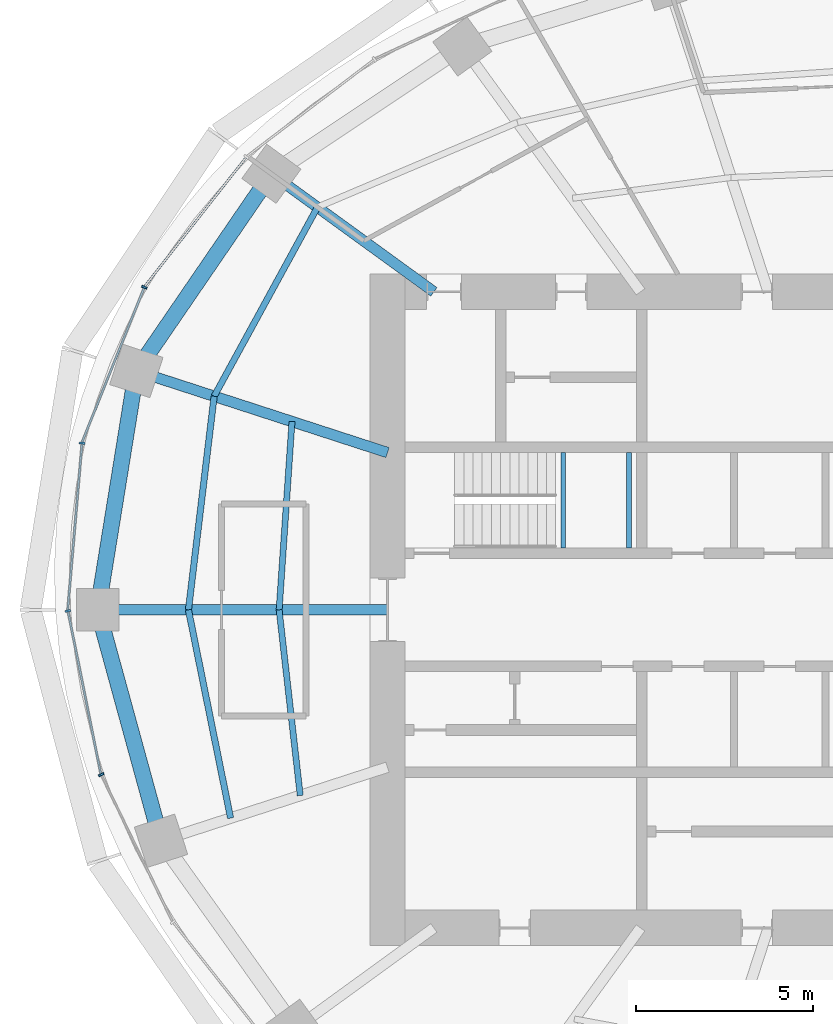
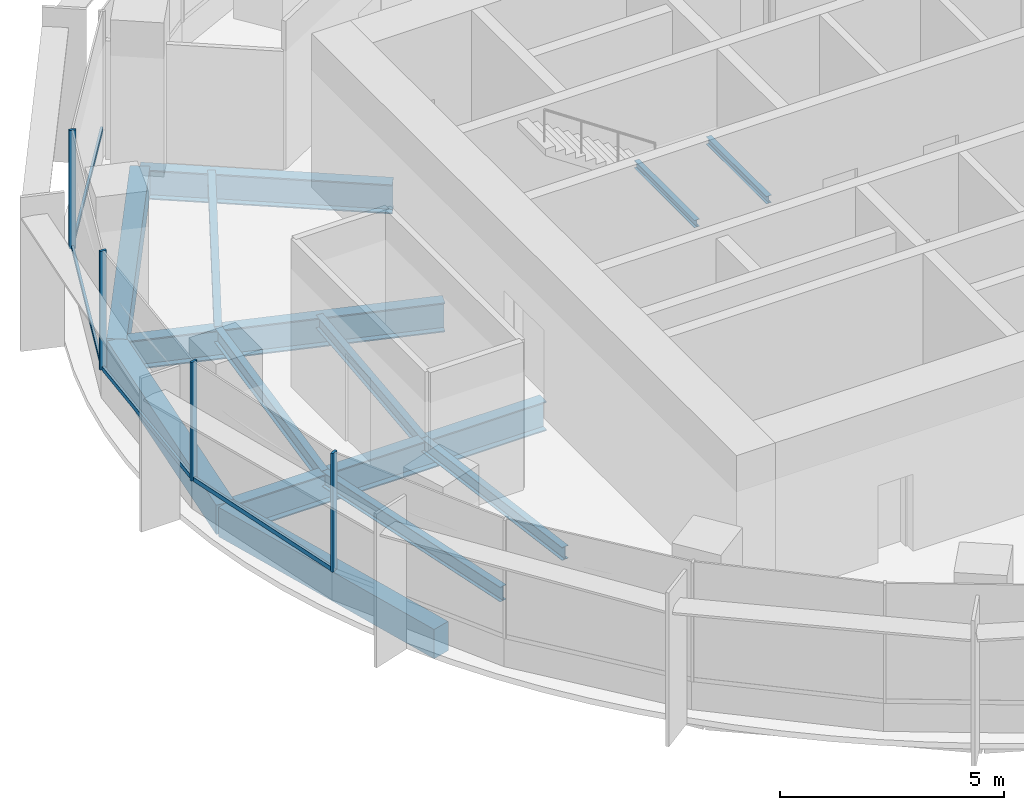
# One storey, part 4 of 13: 13 beams, 8 members, 2 elements without a shape of their own.
"""IFC4 building model written with IfcOpenShell, lengths in metres."""

from ifc_helpers import new_model, si_unit, direction, frame, origin, origin_2d, place, context, subcontext, project, spatial, rectangle, i_section, extrude, material, material_profile, profile_set, type_object, element, aggregate, save


model = new_model("IFC4")

# Units and contexts
model_context = context("Model", 3, precision=1e-05, world=origin(), true_north=direction((0.0, 1.0)))
body_context = subcontext(model_context, "Body", "Model", "MODEL_VIEW")
ifc_project = project(units=[si_unit("LENGTHUNIT", "METRE"), si_unit("AREAUNIT", "SQUARE_METRE"), si_unit("VOLUMEUNIT", "CUBIC_METRE"), si_unit("PLANEANGLEUNIT", "RADIAN"), si_unit("MASSUNIT", "GRAM", prefix="KILO")], contexts=[model_context])

# Site, building, storey
site_placement = place(None, origin())
site = spatial("IfcSite", under=ifc_project, at=site_placement, CompositionType="ELEMENT")
building_placement = place(site_placement, origin())
building = spatial("IfcBuilding", under=site, at=building_placement, Name="Marramba Exchange Tower", CompositionType="ELEMENT")
storey_placement = place(building_placement, frame((0.0, 0.0, 260.199951171875)))
storey = spatial("IfcBuildingStorey", under=building, at=storey_placement, Name="L63", CompositionType="ELEMENT", Elevation=260.199951171875)

# Curtain wall, members
ifc_material_1 = material(Name="Aluminium framing, bronze anodised", Category="aluminium")
curtain_wall_type = type_object("IfcCurtainWallType", Name="Executive floor ribbon curtain wall", PredefinedType="USERDEFINED", material=ifc_material_1)
curtain_wall_1_placement = place(storey_placement, origin())
curtain_wall_1 = element("IfcCurtainWall", 1, at=curtain_wall_1_placement, inside=storey, type_object=curtain_wall_type, Name="Curtain wall CW5 L63 F11-F15", ObjectType="RIBBON CURTAIN WALL", PredefinedType="USERDEFINED")
ifc_material_2 = material(Name="Aluminium mullion, bronze anodised", Category="aluminium")
ifc_material_profile_1 = material_profile(ifc_material_2, rectangle(XDim=0.159912109375, YDim=0.06005859375, at=origin_2d()), Name="CW5 mullion 60x160")
ifc_profile_set_1 = profile_set([ifc_material_profile_1], Name="Aluminium mullion, bronze anodised")
member_type_1 = type_object("IfcMemberType", Name="Executive floor ribbon curtain wall mullion", PredefinedType="MULLION", material=ifc_profile_set_1)
member_1_placement = place(storey_placement, frame((-20.580810546875, 9.13037109375, 0.800048828125), z_axis=(0.0, 0.0, 1.0), x_axis=(0.927838139977, -0.372983090774, 0.0)))
member_1 = element("IfcMember", 2, at=member_1_placement, type_object=member_type_1, Name="CW5 mullion 1", PredefinedType="MULLION", context=body_context, shape_type="SweptSolid", body=[
    extrude(rectangle(XDim=0.159912109375, YDim=0.06005859375, at=origin_2d()), origin(), (0.0, 0.0, 1.0), 3.239990234375),
])
member_2_placement = place(storey_placement, frame((-22.3447265625, 4.718994140625, 0.800048828125), z_axis=(0.0, 0.0, 1.0), x_axis=(0.996331816632, -0.085574009881, 0.0)))
member_2 = element("IfcMember", 3, at=member_2_placement, type_object=member_type_1, Name="CW5 mullion 1", PredefinedType="MULLION", context=body_context, shape_type="SweptSolid", body=[
    extrude(rectangle(XDim=0.159912109375, YDim=0.06005859375, at=origin_2d()), origin(), (0.0, 0.0, 1.0), 3.239990234375),
])

curtain_wall_2_placement = place(storey_placement, origin())
curtain_wall_2 = element("IfcCurtainWall", 4, at=curtain_wall_2_placement, inside=storey, type_object=curtain_wall_type, Name="Curtain wall CW5 L63 F16-F20", ObjectType="RIBBON CURTAIN WALL", PredefinedType="USERDEFINED")
member_3_placement = place(storey_placement, frame((-22.744140625, -0.029296875, 0.800048828125), z_axis=(0.0, 0.0, 1.0), x_axis=(0.980268514856, 0.19767053089, 0.0)))
member_3 = element("IfcMember", 5, at=member_3_placement, type_object=member_type_1, Name="CW5 mullion 1", PredefinedType="MULLION", context=body_context, shape_type="SweptSolid", body=[
    extrude(rectangle(XDim=0.159912109375, YDim=0.06005859375, at=origin_2d()), origin(), (0.0, 0.0, 1.0), 3.239990234375),
])
member_4_placement = place(storey_placement, frame((-21.8017578125, -4.663818359375, 0.800048828125), z_axis=(0.0, 0.0, 1.0), x_axis=(0.89969718031, 0.436514585945, 0.0)))
member_4 = element("IfcMember", 6, at=member_4_placement, type_object=member_type_1, Name="CW5 mullion 1", PredefinedType="MULLION", context=body_context, shape_type="SweptSolid", body=[
    extrude(rectangle(XDim=0.159912109375, YDim=0.06005859375, at=origin_2d()), origin(), (0.0, 0.0, 1.0), 3.239990234375),
])

# Member
ifc_material_3 = material(Name="Aluminium transom, bronze anodised", Category="aluminium")
ifc_material_profile_2 = material_profile(ifc_material_3, rectangle(XDim=0.06005859375, YDim=0.1201171875, at=origin_2d()), Name="CW5 transom 60x120")
ifc_profile_set_2 = profile_set([ifc_material_profile_2], Name="Aluminium transom, bronze anodised")
member_type_2 = type_object("IfcMemberType", Name="Executive floor ribbon curtain wall transom", PredefinedType="USERDEFINED", material=ifc_profile_set_2)
member_5_placement = place(storey_placement, frame((-17.71044921875, 12.793212890625, 0.830078125), z_axis=(-0.618229471001, -0.785997659784, 0.0), x_axis=(0.785997659784, -0.618229471001, 0.0)))
member_5 = element("IfcMember", 7, at=member_5_placement, type_object=member_type_2, Name="CW5 sill transom", ObjectType="TRANSOM", PredefinedType="USERDEFINED", context=body_context, shape_type="SweptSolid", body=[
    extrude(rectangle(XDim=0.06005859375, YDim=0.1201171875, at=origin_2d()), origin(), (0.0, 0.0, 1.0), 4.624755859375),
])

member_6_placement = place(storey_placement, frame((-20.592041015625, 9.1025390625, 0.830078125), z_axis=(-0.372969057001, -0.927843781312, 0.0), x_axis=(0.927843781312, -0.372969057001, 0.0)))
member_6 = element("IfcMember", 8, at=member_6_placement, type_object=member_type_2, Name="CW5 sill transom", ObjectType="TRANSOM", PredefinedType="USERDEFINED", context=body_context, shape_type="SweptSolid", body=[
    extrude(rectangle(XDim=0.06005859375, YDim=0.1201171875, at=origin_2d()), origin(), (0.0, 0.0, 1.0), 4.692138671875),
])

member_7_placement = place(storey_placement, frame((-22.34716796875, 4.689208984375, 0.830078125), z_axis=(-0.085590935521, -0.99633036276, 0.0), x_axis=(0.99633036276, -0.085590935521, 0.0)))
member_7 = element("IfcMember", 9, at=member_7_placement, type_object=member_type_2, Name="CW5 sill transom", ObjectType="TRANSOM", PredefinedType="USERDEFINED", context=body_context, shape_type="SweptSolid", body=[
    extrude(rectangle(XDim=0.06005859375, YDim=0.1201171875, at=origin_2d()), origin(), (0.0, 0.0, 1.0), 4.70654296875),
])

aggregate(curtain_wall_1, [member_5, member_1, member_6, member_2, member_7])

member_8_placement = place(storey_placement, frame((-22.738037109375, -0.058837890625, 0.830078125), z_axis=(0.197654002556, -0.980271847639, 0.0), x_axis=(0.980271847639, 0.197654002556, 0.0)))
member_8 = element("IfcMember", 10, at=member_8_placement, type_object=member_type_2, Name="CW5 sill transom", ObjectType="TRANSOM", PredefinedType="USERDEFINED", context=body_context, shape_type="SweptSolid", body=[
    extrude(rectangle(XDim=0.06005859375, YDim=0.1201171875, at=origin_2d()), origin(), (0.0, 0.0, 1.0), 4.670166015625),
])

aggregate(curtain_wall_2, [member_3, member_8, member_4])

# Beams
ifc_material_4 = material(Name="Steel AS/NZS 3679.1 grade 300", Category="steel")
ifc_material_profile_3 = material_profile(ifc_material_4, i_section(OverallWidth=0.1708984375, OverallDepth=0.35595703125, WebThickness=0.00732421875, FlangeThickness=0.011474609375, FilletRadius=0.011474609375, at=origin_2d()), Name="360UB50.7")
ifc_profile_set_3 = profile_set([ifc_material_profile_3], Name="Steel AS/NZS 3679.1 grade 300")
beam_type_1 = type_object("IfcBeamType", Name="Floor joist 360UB50.7", PredefinedType="JOIST", material=ifc_profile_set_3)
beam_1_placement = place(storey_placement, frame((-16.40283203125, 5.32958984375, -0.337890625), z_axis=(-0.068096259546, -0.99767875563, 0.0), x_axis=(0.99767875563, -0.068096259546, 0.0)))
element("IfcBeam", 11, at=beam_1_placement, inside=storey, type_object=beam_type_1, Name="Joist L63 bay 10 row 1", PredefinedType="JOIST", context=body_context, shape_type="SweptSolid", body=[
    extrude(i_section(OverallWidth=0.1708984375, OverallDepth=0.35595703125, WebThickness=0.00732421875, FlangeThickness=0.011474609375, FilletRadius=0.011474609375, at=origin_2d()), origin(), (0.0, 0.0, 1.0), 5.342041015625),
])
beam_2_placement = place(storey_placement, frame((-16.7666015625, 0.0, -0.337890625), z_axis=(0.112888968594, -0.993607609054, 0.0), x_axis=(0.993607609054, 0.112888968594, 0.0)))
element("IfcBeam", 12, at=beam_2_placement, inside=storey, type_object=beam_type_1, Name="Joist L63 bay 11 row 1", PredefinedType="JOIST", context=body_context, shape_type="SweptSolid", body=[
    extrude(i_section(OverallWidth=0.1708984375, OverallDepth=0.35595703125, WebThickness=0.00732421875, FlangeThickness=0.011474609375, FilletRadius=0.011474609375, at=origin_2d()), origin(), (0.0, 0.0, 1.0), 5.28759765625),
])
ifc_material_profile_4 = material_profile(ifc_material_4, i_section(OverallWidth=0.177978515625, OverallDepth=0.403076171875, WebThickness=0.007568359375, FlangeThickness=0.010986328125, FilletRadius=0.011474609375, at=origin_2d()), Name="410UB53.7")
ifc_profile_set_4 = profile_set([ifc_material_profile_4], Name="Steel AS/NZS 3679.1 grade 300")
beam_type_2 = type_object("IfcBeamType", Name="Floor joist 410UB53.7", PredefinedType="JOIST", material=ifc_profile_set_4)
beam_3_placement = place(storey_placement, frame((-15.682373046875, 11.393798828125, -0.361572265625), z_axis=(-0.479584443791, -0.877495732909, 0.0), x_axis=(0.877495732909, -0.479584443791, 0.0)))
element("IfcBeam", 13, at=beam_3_placement, inside=storey, type_object=beam_type_2, Name="Joist L63 bay 09 row 2", PredefinedType="JOIST", context=body_context, shape_type="SweptSolid", body=[
    extrude(i_section(OverallWidth=0.177978515625, OverallDepth=0.403076171875, WebThickness=0.007568359375, FlangeThickness=0.010986328125, FilletRadius=0.011474609375, at=origin_2d()), origin(), (0.0, 0.0, 1.0), 6.094970703125),
])
beam_4_placement = place(storey_placement, frame((-18.60546875, 6.04541015625, -0.361572265625), z_axis=(-0.119523078538, -0.992831422597, 0.0), x_axis=(0.992831422597, -0.119523078538, 0.0)))
element("IfcBeam", 14, at=beam_4_placement, inside=storey, type_object=beam_type_2, Name="Joist L63 bay 10 row 2", PredefinedType="JOIST", context=body_context, shape_type="SweptSolid", body=[
    extrude(i_section(OverallWidth=0.177978515625, OverallDepth=0.403076171875, WebThickness=0.007568359375, FlangeThickness=0.010986328125, FilletRadius=0.011474609375, at=origin_2d()), origin(), (0.0, 0.0, 1.0), 6.089111328125),
])
beam_5_placement = place(storey_placement, frame((-19.333251953125, 0.0, -0.361572265625), z_axis=(0.198489047047, -0.980103105904, 0.0), x_axis=(0.980103105904, 0.198489047047, 0.0)))
element("IfcBeam", 15, at=beam_5_placement, inside=storey, type_object=beam_type_2, Name="Joist L63 bay 11 row 2", PredefinedType="JOIST", context=body_context, shape_type="SweptSolid", body=[
    extrude(i_section(OverallWidth=0.177978515625, OverallDepth=0.403076171875, WebThickness=0.007568359375, FlangeThickness=0.010986328125, FilletRadius=0.011474609375, at=origin_2d()), origin(), (0.0, 0.0, 1.0), 6.013427734375),
])
ifc_material_5 = material(Name="Steel AS/NZS 3679.2 grade 300", Category="steel")
ifc_material_profile_5 = material_profile(ifc_material_5, i_section(OverallWidth=0.300048828125, OverallDepth=0.800048828125, WebThickness=0.013916015625, FlangeThickness=0.031982421875, at=origin_2d()), Name="800WB192")
ifc_profile_set_5 = profile_set([ifc_material_profile_5], Name="Steel AS/NZS 3679.2 grade 300")
beam_type_3 = type_object("IfcBeamType", Name="Radial girder 800WB192", PredefinedType="BEAM", material=ifc_profile_set_5)
beam_6_placement = place(storey_placement, frame((-12.387451171875, 9.0, -0.56005859375), z_axis=(-0.809025746925, 0.587773205252, 0.0), x_axis=(-0.587773205252, -0.809025746925, 0.0)))
element("IfcBeam", 16, at=beam_6_placement, inside=storey, type_object=beam_type_3, Name="Radial girder L63 TC09", PredefinedType="BEAM", context=body_context, shape_type="SweptSolid", body=[
    extrude(i_section(OverallWidth=0.300048828125, OverallDepth=0.800048828125, WebThickness=0.013916015625, FlangeThickness=0.031982421875, at=origin_2d()), origin(), (0.0, 0.0, 1.0), 5.683837890625),
])
beam_7_placement = place(storey_placement, frame((-13.699951171875, 4.451416015625, -0.56005859375), z_axis=(-0.951059990189, 0.309006302624, 0.0), x_axis=(-0.309006302624, -0.951059990189, 0.0)))
element("IfcBeam", 17, at=beam_7_placement, inside=storey, type_object=beam_type_3, Name="Radial girder L63 TC10", PredefinedType="BEAM", context=body_context, shape_type="SweptSolid", body=[
    extrude(i_section(OverallWidth=0.300048828125, OverallDepth=0.800048828125, WebThickness=0.013916015625, FlangeThickness=0.031982421875, at=origin_2d()), origin(), (0.0, 0.0, 1.0), 7.47412109375),
])
beam_8_placement = place(storey_placement, frame((-13.699951171875, 0.0, -0.56005859375), z_axis=(-1.0, 0.0, 0.0), x_axis=(0.0, -1.0, 0.0)))
element("IfcBeam", 18, at=beam_8_placement, inside=storey, type_object=beam_type_3, Name="Radial girder L63 TC11", PredefinedType="BEAM", context=body_context, shape_type="SweptSolid", body=[
    extrude(i_section(OverallWidth=0.300048828125, OverallDepth=0.800048828125, WebThickness=0.013916015625, FlangeThickness=0.031982421875, at=origin_2d()), origin(), (0.0, 0.0, 1.0), 8.199951171875),
])
ifc_material_6 = material(Name="Concrete N50", Category="concrete")
ifc_material_profile_6 = material_profile(ifc_material_6, rectangle(XDim=0.449951171875, YDim=0.800048828125, at=origin_2d()), Name="RC 450x800")
ifc_profile_set_6 = profile_set([ifc_material_profile_6], Name="Concrete N50")
beam_type_4 = type_object("IfcBeamType", Name="Ring beam RC 450x800 N50", PredefinedType="SPANDREL", material=ifc_profile_set_6)
beam_9_placement = place(storey_placement, frame((-16.98583984375, 12.3408203125, -0.56005859375), z_axis=(-0.56516002054, -0.824981303535, 0.0), x_axis=(0.824981303535, -0.56516002054, 0.0)))
element("IfcBeam", 19, at=beam_9_placement, inside=storey, type_object=beam_type_4, Name="Ring beam L63 TC09-TC10", PredefinedType="SPANDREL", context=body_context, shape_type="SweptSolid", body=[
    extrude(rectangle(XDim=0.449951171875, YDim=0.800048828125, at=origin_2d()), origin(), (0.0, 0.0, 1.0), 6.763671875),
])
beam_10_placement = place(storey_placement, frame((-20.808349609375, 6.760986328125, -0.56005859375), z_axis=(-0.159384865399, -0.987216523708, 0.0), x_axis=(0.987216523708, -0.159384865399, 0.0)))
element("IfcBeam", 20, at=beam_10_placement, inside=storey, type_object=beam_type_4, Name="Ring beam L63 TC10-TC11", PredefinedType="SPANDREL", context=body_context, shape_type="SweptSolid", body=[
    extrude(rectangle(XDim=0.449951171875, YDim=0.800048828125, at=origin_2d()), origin(), (0.0, 0.0, 1.0), 6.8486328125),
])
beam_11_placement = place(storey_placement, frame((-21.89990234375, 0.0, -0.56005859375), z_axis=(0.264291166956, -0.964442937176, 0.0), x_axis=(0.964442937176, 0.264291166956, 0.0)))
element("IfcBeam", 21, at=beam_11_placement, inside=storey, type_object=beam_type_4, Name="Ring beam L63 TC11-TC12", PredefinedType="SPANDREL", context=body_context, shape_type="SweptSolid", body=[
    extrude(rectangle(XDim=0.449951171875, YDim=0.800048828125, at=origin_2d()), origin(), (0.0, 0.0, 1.0), 6.77490234375),
])
ifc_material_profile_7 = material_profile(ifc_material_4, i_section(OverallWidth=0.133056640625, OverallDepth=0.202880859375, WebThickness=0.005859375, FlangeThickness=0.0078125, FilletRadius=0.0087890625, at=origin_2d()), Name="200UB25.4")
ifc_profile_set_7 = profile_set([ifc_material_profile_7], Name="Steel AS/NZS 3679.1 grade 300")
beam_type_5 = type_object("IfcBeamType", Name="Stair landing beam 200UB25.4", PredefinedType="BEAM", material=ifc_profile_set_7)
for number, where, z_axis, x_axis, name in (
    (22, (-8.723388671875, 1.75, 1.798583984375), (0.0, 1.0, 0.0), (-1.0, 0.0, 0.0), "Stair landing beam SLB1 ST1 L63 1"),
    (23, (-6.866455078125, 1.75, 1.798583984375), (0.0, 1.0, 0.0), (-1.0, 0.0, 0.0), "Stair landing beam SLB1 ST1 L63 2"),
):
    element("IfcBeam", number, at=place(storey_placement, frame(where, z_axis=z_axis, x_axis=x_axis)), inside=storey, type_object=beam_type_5, Name=name, PredefinedType="BEAM", context=body_context, shape_type="SweptSolid", body=[
        extrude(i_section(OverallWidth=0.133056640625, OverallDepth=0.202880859375, WebThickness=0.005859375, FlangeThickness=0.0078125, FilletRadius=0.0087890625, at=origin_2d()), origin(), (0.0, 0.0, 1.0), 2.699951171875),
    ])

save(model, "model.ifc")
